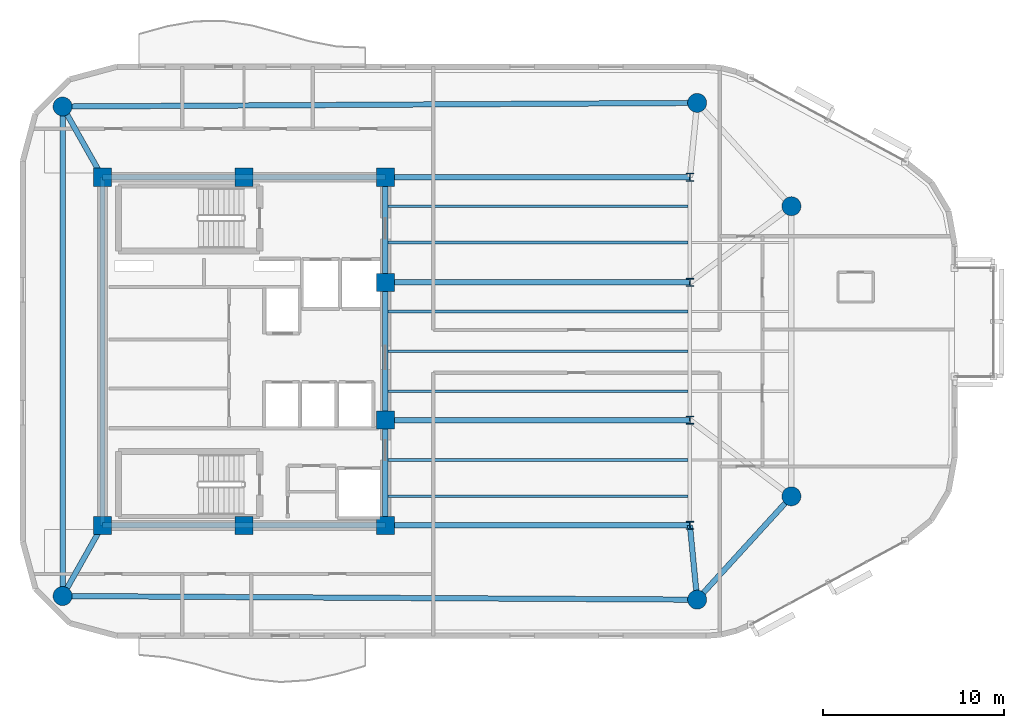
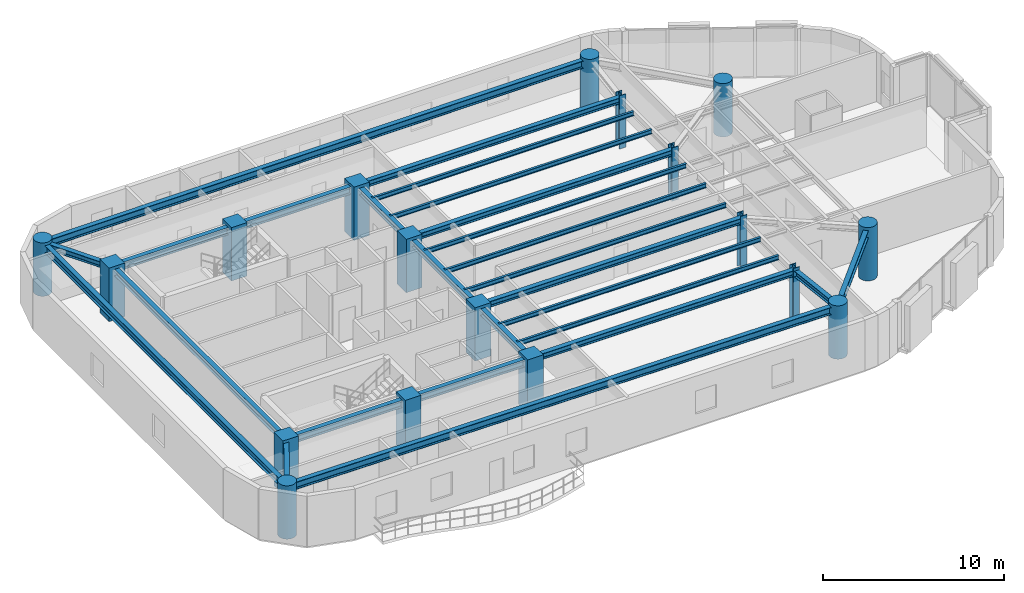
# One storey, part 1 of 14: 24 beams, 18 columns.
"""IFC4 building model written with IfcOpenShell, lengths in metres."""

from ifc_helpers import new_model, si_unit, direction, frame, origin, origin_2d, place, context, subcontext, project, spatial, rectangle, circle, i_section, extrude, material, material_profile, profile_set, type_object, element, save


model = new_model("IFC4")

# Units and contexts
model_context = context("Model", 3, precision=1e-05, world=origin(), true_north=direction((0.0, 1.0)))
body_context = subcontext(model_context, "Body", "Model", "MODEL_VIEW")
ifc_project = project(units=[si_unit("LENGTHUNIT", "METRE"), si_unit("AREAUNIT", "SQUARE_METRE"), si_unit("VOLUMEUNIT", "CUBIC_METRE"), si_unit("PLANEANGLEUNIT", "RADIAN"), si_unit("MASSUNIT", "GRAM", prefix="KILO")], contexts=[model_context])

# Site, building, storey
site_placement = place(None, origin())
site = spatial("IfcSite", under=ifc_project, at=site_placement, CompositionType="ELEMENT")
building_placement = place(site_placement, origin())
building = spatial("IfcBuilding", under=site, at=building_placement, Name="An Khanh Terracotta Commons", CompositionType="ELEMENT")
storey_placement = place(building_placement, frame((0.0, 0.0, 230.10009765625)))
storey = spatial("IfcBuildingStorey", under=building, at=storey_placement, Name="L60", CompositionType="ELEMENT", Elevation=230.10009765625)

# Columns
ifc_material_1 = material(Name="Concrete C60/75", Category="concrete")
ifc_material_profile_1 = material_profile(ifc_material_1, circle(Radius=0.52490234375, at=origin_2d()), Name="CFST1050")
ifc_profile_set_1 = profile_set([ifc_material_profile_1], Name="Concrete C60/75")
column_type_1 = type_object("IfcColumnType", Name="COL-CFST1050", PredefinedType="COLUMN", material=ifc_profile_set_1)
for number, where, z_axis, x_axis, name in (
    (1, (19.39990234375, 10.5, 0.0), (0.0, 0.0, 1.0), (1.0, 0.0, 0.0), "L60 Perimeter CFST Mega-Column MC-01"),
    (2, (54.39990234375, 10.300048828125, 0.0), (0.0, 0.0, 1.0), (1.0, 0.0, 0.0), "L60 Perimeter CFST Mega-Column MC-02"),
    (3, (59.60009765625, 16.0, 0.0), (0.0, 0.0, 1.0), (1.0, 0.0, 0.0), "L60 Perimeter CFST Mega-Column MC-03"),
    (4, (59.60009765625, 32.0, 0.0), (0.0, 0.0, 1.0), (1.0, 0.0, 0.0), "L60 Perimeter CFST Mega-Column MC-04"),
    (5, (54.39990234375, 37.699951171875, 0.0), (0.0, 0.0, 1.0), (1.0, 0.0, 0.0), "L60 Perimeter CFST Mega-Column MC-05"),
    (6, (19.39990234375, 37.5, 0.0), (0.0, 0.0, 1.0), (1.0, 0.0, 0.0), "L60 Perimeter CFST Mega-Column MC-06"),
):
    element("IfcColumn", number, at=place(storey_placement, frame(where, z_axis=z_axis, x_axis=x_axis)), inside=storey, type_object=column_type_1, Name=name, PredefinedType="COLUMN", context=body_context, shape_type="SweptSolid", body=[
        extrude(circle(Radius=0.52490234375, at=origin_2d()), origin(), (0.0, 0.0, 1.0), 3.599853515625),
    ])
ifc_material_2 = material(Name="Steel S460ML", Category="steel")
ifc_material_profile_2 = material_profile(ifc_material_2, i_section(OverallWidth=0.406005859375, OverallDepth=0.43994140625, WebThickness=0.02392578125, FlangeThickness=0.0390625, FilletRadius=0.014892578125, at=origin_2d()), Name="HD400x314")
ifc_profile_set_2 = profile_set([ifc_material_profile_2], Name="Steel S460ML")
column_type_2 = type_object("IfcColumnType", Name="COL-HD400x314", PredefinedType="COLUMN", material=ifc_profile_set_2)
for number, where, z_axis, x_axis, name in (
    (7, (54.0, 14.39990234375, 0.0), (0.0, 0.0, 1.0), (1.0, 0.0, 0.0), "L60 Interior Frame Column TC-01"),
    (8, (54.0, 20.199951171875, 0.0), (0.0, 0.0, 1.0), (1.0, 0.0, 0.0), "L60 Interior Frame Column TC-02"),
    (9, (54.0, 27.800048828125, 0.0), (0.0, 0.0, 1.0), (1.0, 0.0, 0.0), "L60 Interior Frame Column TC-03"),
    (10, (54.0, 33.60009765625, 0.0), (0.0, 0.0, 1.0), (1.0, 0.0, 0.0), "L60 Interior Frame Column TC-04"),
):
    element("IfcColumn", number, at=place(storey_placement, frame(where, z_axis=z_axis, x_axis=x_axis)), inside=storey, type_object=column_type_2, Name=name, PredefinedType="COLUMN", context=body_context, shape_type="SweptSolid", body=[
        extrude(i_section(OverallWidth=0.406005859375, OverallDepth=0.43994140625, WebThickness=0.02392578125, FlangeThickness=0.0390625, FilletRadius=0.014892578125, at=origin_2d()), origin(), (0.0, 0.0, 1.0), 3.599853515625),
    ])
ifc_material_profile_3 = material_profile(ifc_material_1, rectangle(XDim=1.0, YDim=1.0, at=origin_2d()), Name="RC1000x1000")
ifc_profile_set_3 = profile_set([ifc_material_profile_3], Name="Concrete C60/75")
column_type_3 = type_object("IfcColumnType", Name="COL-RC1000x1000", PredefinedType="COLUMN", material=ifc_profile_set_3)
for number, where, z_axis, x_axis, name in (
    (11, (21.60009765625, 14.39990234375, 0.0), (0.0, 0.0, 1.0), (1.0, 0.0, 0.0), "L60 Core Boundary Column CC-01"),
    (12, (29.39990234375, 14.39990234375, 0.0), (0.0, 0.0, 1.0), (1.0, 0.0, 0.0), "L60 Core Boundary Column CC-02"),
    (13, (37.199951171875, 14.39990234375, 0.0), (0.0, 0.0, 1.0), (1.0, 0.0, 0.0), "L60 Core Boundary Column CC-03"),
    (14, (37.199951171875, 20.199951171875, 0.0), (0.0, 0.0, 1.0), (1.0, 0.0, 0.0), "L60 Core Boundary Column CC-04"),
    (15, (37.199951171875, 27.800048828125, 0.0), (0.0, 0.0, 1.0), (1.0, 0.0, 0.0), "L60 Core Boundary Column CC-05"),
    (16, (37.199951171875, 33.60009765625, 0.0), (0.0, 0.0, 1.0), (1.0, 0.0, 0.0), "L60 Core Boundary Column CC-06"),
    (17, (29.39990234375, 33.60009765625, 0.0), (0.0, 0.0, 1.0), (1.0, 0.0, 0.0), "L60 Core Boundary Column CC-07"),
    (18, (21.60009765625, 33.60009765625, 0.0), (0.0, 0.0, 1.0), (1.0, 0.0, 0.0), "L60 Core Boundary Column CC-08"),
):
    element("IfcColumn", number, at=place(storey_placement, frame(where, z_axis=z_axis, x_axis=x_axis)), inside=storey, type_object=column_type_3, Name=name, PredefinedType="COLUMN", context=body_context, shape_type="SweptSolid", body=[
        extrude(rectangle(XDim=1.0, YDim=1.0, at=origin_2d()), origin(), (0.0, 0.0, 1.0), 3.599853515625),
    ])

# Beams
ifc_material_3 = material(Name="Steel S355J2", Category="steel")
ifc_material_profile_4 = material_profile(ifc_material_3, i_section(OverallWidth=0.300048828125, OverallDepth=0.39990234375, WebThickness=0.013427734375, FlangeThickness=0.02392578125, FilletRadius=0.027099609375, at=origin_2d()), Name="HEB400")
ifc_profile_set_4 = profile_set([ifc_material_profile_4], Name="Steel S355J2")
beam_type_1 = type_object("IfcBeamType", Name="BM-HEB400", PredefinedType="BEAM", material=ifc_profile_set_4)
for number, where, z_axis, x_axis, name in (
    (19, (37.199951171875, 14.39990234375, 3.199951171875), (1.0, 0.0, 0.0), (0.0, 1.0, 0.0), "L60 East Primary Floor Girder 1"),
    (20, (37.199951171875, 20.199951171875, 3.199951171875), (1.0, 0.0, 0.0), (0.0, 1.0, 0.0), "L60 East Primary Floor Girder 2"),
    (21, (37.199951171875, 27.800048828125, 3.199951171875), (1.0, 0.0, 0.0), (0.0, 1.0, 0.0), "L60 East Primary Floor Girder 3"),
    (22, (37.199951171875, 33.60009765625, 3.199951171875), (1.0, 0.0, 0.0), (0.0, 1.0, 0.0), "L60 East Primary Floor Girder 4"),
):
    element("IfcBeam", number, at=place(storey_placement, frame(where, z_axis=z_axis, x_axis=x_axis)), inside=storey, type_object=beam_type_1, Name=name, PredefinedType="BEAM", context=body_context, shape_type="SweptSolid", body=[
        extrude(i_section(OverallWidth=0.300048828125, OverallDepth=0.39990234375, WebThickness=0.013427734375, FlangeThickness=0.02392578125, FilletRadius=0.027099609375, at=origin_2d()), origin(), (0.0, 0.0, 1.0), 16.800048828125),
    ])
beam_1_placement = place(storey_placement, frame((19.39990234375, 10.5, 3.199951171875), z_axis=(0.491363608436, 0.870954536302, 0.0), x_axis=(-0.870954536302, 0.491363608436, 0.0)))
element("IfcBeam", 23, at=beam_1_placement, inside=storey, type_object=beam_type_1, Name="L60 Mega-Column Tie Girder 1", PredefinedType="BEAM", context=body_context, shape_type="SweptSolid", body=[
    extrude(i_section(OverallWidth=0.300048828125, OverallDepth=0.39990234375, WebThickness=0.013427734375, FlangeThickness=0.02392578125, FilletRadius=0.027099609375, at=origin_2d()), origin(), (0.0, 0.0, 1.0), 4.477783203125),
])
beam_2_placement = place(storey_placement, frame((54.39990234375, 10.300048828125, 3.199951171875), z_axis=(-0.097079917443, 0.995276589511, 0.0), x_axis=(-0.995276589511, -0.097079917443, 0.0)))
element("IfcBeam", 24, at=beam_2_placement, inside=storey, type_object=beam_type_1, Name="L60 Mega-Column Tie Girder 2", PredefinedType="BEAM", context=body_context, shape_type="SweptSolid", body=[
    extrude(i_section(OverallWidth=0.300048828125, OverallDepth=0.39990234375, WebThickness=0.013427734375, FlangeThickness=0.02392578125, FilletRadius=0.027099609375, at=origin_2d()), origin(), (0.0, 0.0, 1.0), 4.119384765625),
])
beam_3_placement = place(storey_placement, frame((19.39990234375, 37.5, 3.199951171875), z_axis=(0.491363608436, -0.870954536302, 0.0), x_axis=(0.870954536302, 0.491363608436, 0.0)))
element("IfcBeam", 25, at=beam_3_placement, inside=storey, type_object=beam_type_1, Name="L60 Mega-Column Tie Girder 6", PredefinedType="BEAM", context=body_context, shape_type="SweptSolid", body=[
    extrude(i_section(OverallWidth=0.300048828125, OverallDepth=0.39990234375, WebThickness=0.013427734375, FlangeThickness=0.02392578125, FilletRadius=0.027099609375, at=origin_2d()), origin(), (0.0, 0.0, 1.0), 4.477783203125),
])
ifc_material_profile_5 = material_profile(ifc_material_3, i_section(OverallWidth=0.300048828125, OverallDepth=0.449951171875, WebThickness=0.013916015625, FlangeThickness=0.02587890625, FilletRadius=0.027099609375, at=origin_2d()), Name="HEB450")
ifc_profile_set_5 = profile_set([ifc_material_profile_5], Name="Steel S355J2")
beam_type_2 = type_object("IfcBeamType", Name="BM-HEB450", PredefinedType="BEAM", material=ifc_profile_set_5)
beam_4_placement = place(storey_placement, frame((37.199951171875, 14.39990234375, 3.1748046875), z_axis=(0.0, 1.0, 0.0), x_axis=(-1.0, 0.0, 0.0)))
element("IfcBeam", 26, at=beam_4_placement, inside=storey, type_object=beam_type_2, Name="L60 Core East Coupling Girder 1", PredefinedType="BEAM", context=body_context, shape_type="SweptSolid", body=[
    extrude(i_section(OverallWidth=0.300048828125, OverallDepth=0.449951171875, WebThickness=0.013916015625, FlangeThickness=0.02587890625, FilletRadius=0.027099609375, at=origin_2d()), origin(), (0.0, 0.0, 1.0), 5.800048828125),
])
beam_5_placement = place(storey_placement, frame((37.199951171875, 20.199951171875, 3.1748046875), z_axis=(0.0, 1.0, 0.0), x_axis=(-1.0, 0.0, 0.0)))
element("IfcBeam", 27, at=beam_5_placement, inside=storey, type_object=beam_type_2, Name="L60 Core East Coupling Girder 2", PredefinedType="BEAM", context=body_context, shape_type="SweptSolid", body=[
    extrude(i_section(OverallWidth=0.300048828125, OverallDepth=0.449951171875, WebThickness=0.013916015625, FlangeThickness=0.02587890625, FilletRadius=0.027099609375, at=origin_2d()), origin(), (0.0, 0.0, 1.0), 7.60009765625),
])
beam_6_placement = place(storey_placement, frame((37.199951171875, 27.800048828125, 3.1748046875), z_axis=(0.0, 1.0, 0.0), x_axis=(-1.0, 0.0, 0.0)))
element("IfcBeam", 28, at=beam_6_placement, inside=storey, type_object=beam_type_2, Name="L60 Core East Coupling Girder 3", PredefinedType="BEAM", context=body_context, shape_type="SweptSolid", body=[
    extrude(i_section(OverallWidth=0.300048828125, OverallDepth=0.449951171875, WebThickness=0.013916015625, FlangeThickness=0.02587890625, FilletRadius=0.027099609375, at=origin_2d()), origin(), (0.0, 0.0, 1.0), 5.800048828125),
])
beam_7_placement = place(storey_placement, frame((21.60009765625, 14.39990234375, 3.1748046875), z_axis=(0.0, 1.0, 0.0), x_axis=(-1.0, 0.0, 0.0)))
element("IfcBeam", 29, at=beam_7_placement, inside=storey, type_object=beam_type_2, Name="L60 Core West Coupling Girder", PredefinedType="BEAM", context=body_context, shape_type="SweptSolid", body=[
    extrude(i_section(OverallWidth=0.300048828125, OverallDepth=0.449951171875, WebThickness=0.013916015625, FlangeThickness=0.02587890625, FilletRadius=0.027099609375, at=origin_2d()), origin(), (0.0, 0.0, 1.0), 19.2001953125),
])
ifc_material_profile_6 = material_profile(ifc_material_3, i_section(OverallWidth=0.300048828125, OverallDepth=0.5, WebThickness=0.014404296875, FlangeThickness=0.028076171875, FilletRadius=0.027099609375, at=origin_2d()), Name="HEB500")
ifc_profile_set_6 = profile_set([ifc_material_profile_6], Name="Steel S355J2")
beam_type_3 = type_object("IfcBeamType", Name="BM-HEB500", PredefinedType="BEAM", material=ifc_profile_set_6)
for number, where, z_axis, x_axis, name in (
    (30, (21.60009765625, 14.39990234375, 3.14990234375), (1.0, 0.0, 0.0), (0.0, 1.0, 0.0), "L60 Core South Coupling Girder"),
    (31, (21.60009765625, 33.60009765625, 3.14990234375), (1.0, 0.0, 0.0), (0.0, 1.0, 0.0), "L60 Core North Coupling Girder"),
):
    element("IfcBeam", number, at=place(storey_placement, frame(where, z_axis=z_axis, x_axis=x_axis)), inside=storey, type_object=beam_type_3, Name=name, PredefinedType="BEAM", context=body_context, shape_type="SweptSolid", body=[
        extrude(i_section(OverallWidth=0.300048828125, OverallDepth=0.5, WebThickness=0.014404296875, FlangeThickness=0.028076171875, FilletRadius=0.027099609375, at=origin_2d()), origin(), (0.0, 0.0, 1.0), 15.599853515625),
    ])
beam_8_placement = place(storey_placement, frame((19.39990234375, 10.5, 3.14990234375), z_axis=(0.99998368184, -0.005712797401, 0.0), x_axis=(0.005712797401, 0.99998368184, 0.0)))
element("IfcBeam", 32, at=beam_8_placement, inside=storey, type_object=beam_type_3, Name="L60 Perimeter Ring Spandrel 1", PredefinedType="BEAM", context=body_context, shape_type="SweptSolid", body=[
    extrude(i_section(OverallWidth=0.300048828125, OverallDepth=0.5, WebThickness=0.014404296875, FlangeThickness=0.028076171875, FilletRadius=0.027099609375, at=origin_2d()), origin(), (0.0, 0.0, 1.0), 35.00048828125),
])
beam_9_placement = place(storey_placement, frame((54.39990234375, 10.300048828125, 3.14990234375), z_axis=(0.673978953902, 0.738750546326, 0.0), x_axis=(-0.738750546326, 0.673978953902, 0.0)))
element("IfcBeam", 33, at=beam_9_placement, inside=storey, type_object=beam_type_3, Name="L60 Perimeter Ring Spandrel 2", PredefinedType="BEAM", context=body_context, shape_type="SweptSolid", body=[
    extrude(i_section(OverallWidth=0.300048828125, OverallDepth=0.5, WebThickness=0.014404296875, FlangeThickness=0.028076171875, FilletRadius=0.027099609375, at=origin_2d()), origin(), (0.0, 0.0, 1.0), 7.715576171875),
])
beam_10_placement = place(storey_placement, frame((54.39990234375, 37.699951171875, 3.14990234375), z_axis=(-0.99998368184, -0.005712797401, 0.0), x_axis=(0.005712797401, -0.99998368184, 0.0)))
element("IfcBeam", 34, at=beam_10_placement, inside=storey, type_object=beam_type_3, Name="L60 Perimeter Ring Spandrel 5", PredefinedType="BEAM", context=body_context, shape_type="SweptSolid", body=[
    extrude(i_section(OverallWidth=0.300048828125, OverallDepth=0.5, WebThickness=0.014404296875, FlangeThickness=0.028076171875, FilletRadius=0.027099609375, at=origin_2d()), origin(), (0.0, 0.0, 1.0), 35.00048828125),
])
beam_11_placement = place(storey_placement, frame((19.39990234375, 37.5, 3.14990234375), z_axis=(0.0, -1.0, 0.0), x_axis=(1.0, 0.0, 0.0)))
element("IfcBeam", 35, at=beam_11_placement, inside=storey, type_object=beam_type_3, Name="L60 Perimeter Ring Spandrel 6", PredefinedType="BEAM", context=body_context, shape_type="SweptSolid", body=[
    extrude(i_section(OverallWidth=0.300048828125, OverallDepth=0.5, WebThickness=0.014404296875, FlangeThickness=0.028076171875, FilletRadius=0.027099609375, at=origin_2d()), origin(), (0.0, 0.0, 1.0), 27.0),
])
ifc_material_profile_7 = material_profile(ifc_material_3, i_section(OverallWidth=0.14990234375, OverallDepth=0.300048828125, WebThickness=0.007080078125, FlangeThickness=0.0107421875, FilletRadius=0.014892578125, at=origin_2d()), Name="IPE300")
ifc_profile_set_7 = profile_set([ifc_material_profile_7], Name="Steel S355J2")
beam_type_4 = type_object("IfcBeamType", Name="BM-IPE300", PredefinedType="JOIST", material=ifc_profile_set_7)
for number, where, z_axis, x_axis, name in (
    (36, (37.199951171875, 16.0, 3.25), (1.0, 0.0, 0.0), (0.0, 1.0, 0.0), "L60 Inboard Composite Joist 1"),
    (37, (37.199951171875, 18.0, 3.25), (1.0, 0.0, 0.0), (0.0, 1.0, 0.0), "L60 Inboard Composite Joist 2"),
    (38, (37.199951171875, 21.800048828125, 3.25), (1.0, 0.0, 0.0), (0.0, 1.0, 0.0), "L60 Inboard Composite Joist 3"),
    (39, (37.199951171875, 24.0, 3.25), (1.0, 0.0, 0.0), (0.0, 1.0, 0.0), "L60 Inboard Composite Joist 4"),
    (40, (37.199951171875, 26.199951171875, 3.25), (1.0, 0.0, 0.0), (0.0, 1.0, 0.0), "L60 Inboard Composite Joist 5"),
    (41, (37.199951171875, 30.0, 3.25), (1.0, 0.0, 0.0), (0.0, 1.0, 0.0), "L60 Inboard Composite Joist 6"),
    (42, (37.199951171875, 32.0, 3.25), (1.0, 0.0, 0.0), (0.0, 1.0, 0.0), "L60 Inboard Composite Joist 7"),
):
    element("IfcBeam", number, at=place(storey_placement, frame(where, z_axis=z_axis, x_axis=x_axis)), inside=storey, type_object=beam_type_4, Name=name, PredefinedType="JOIST", context=body_context, shape_type="SweptSolid", body=[
        extrude(i_section(OverallWidth=0.14990234375, OverallDepth=0.300048828125, WebThickness=0.007080078125, FlangeThickness=0.0107421875, FilletRadius=0.014892578125, at=origin_2d()), origin(), (0.0, 0.0, 1.0), 16.705078125),
    ])

save(model, "model.ifc")
